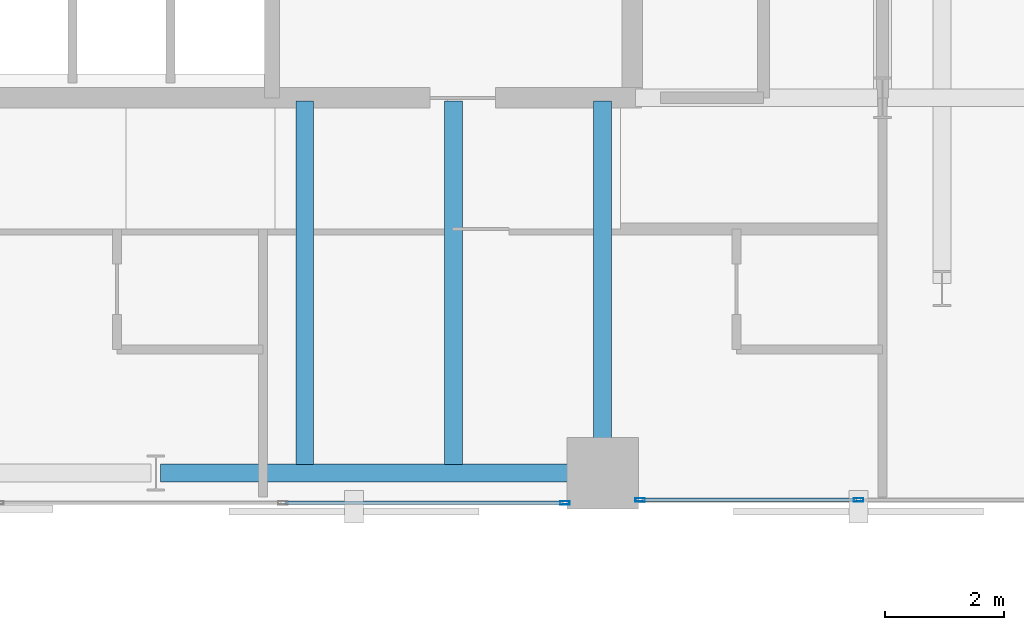
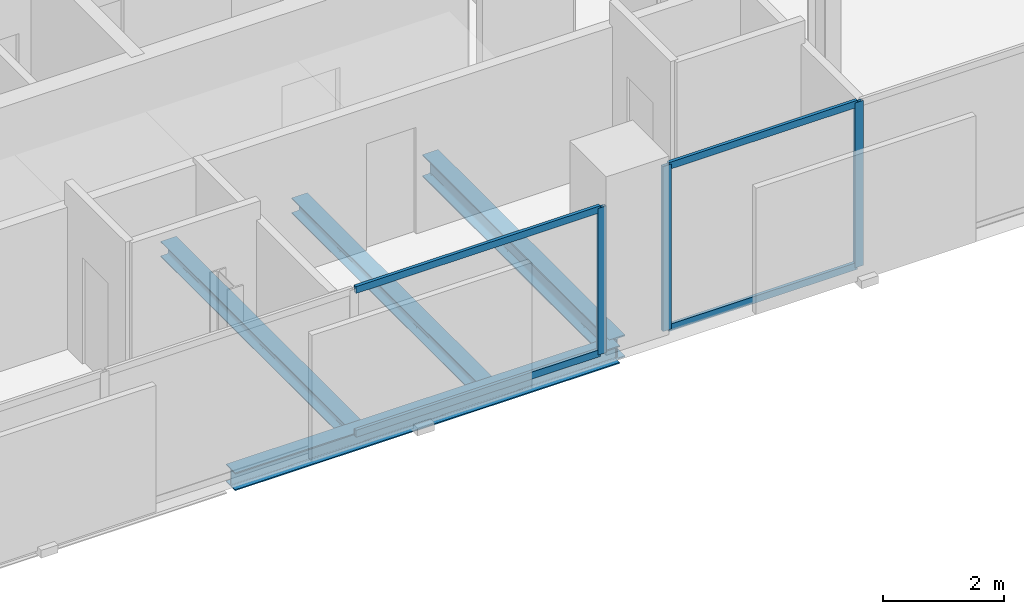
# One storey, part 14 of 32: 7 members, 4 beams, 2 elements without a shape of their own.
"""IFC4 building model written with IfcOpenShell, lengths in metres."""

from ifc_helpers import new_model, si_unit, direction, frame, origin, origin_2d, place, context, subcontext, project, spatial, hollow_rectangle, i_section, extrude, material, layer, layer_set, material_profile, profile_set, type_object, element, aggregate, save


model = new_model("IFC4")

# Units and contexts
model_context = context("Model", 3, precision=1e-05, world=origin(), true_north=direction((0.0, 1.0)))
body_context = subcontext(model_context, "Body", "Model", "MODEL_VIEW")
ifc_project = project(units=[si_unit("LENGTHUNIT", "METRE"), si_unit("AREAUNIT", "SQUARE_METRE"), si_unit("VOLUMEUNIT", "CUBIC_METRE"), si_unit("PLANEANGLEUNIT", "RADIAN"), si_unit("MASSUNIT", "GRAM", prefix="KILO")], contexts=[model_context])

# Site, building, storey
site_placement = place(None, origin())
site = spatial("IfcSite", under=ifc_project, at=site_placement, CompositionType="ELEMENT")
building_placement = place(site_placement, origin())
building = spatial("IfcBuilding", under=site, at=building_placement, Name="Catumbela Crestline Tower", CompositionType="ELEMENT")
storey_placement = place(building_placement, frame((0.0, 0.0, 126.0)))
storey = spatial("IfcBuildingStorey", under=building, at=storey_placement, Name="L32", CompositionType="ELEMENT", Elevation=126.0)

# Beams
ifc_material_1 = material(Name="Structural steel S355J2", Category="steel")
ifc_material_profile_1 = material_profile(ifc_material_1, i_section(OverallWidth=0.3, OverallDepth=0.45, WebThickness=0.014, FlangeThickness=0.026, FilletRadius=0.027, at=origin_2d()), Name="HEB 450")
ifc_profile_set_1 = profile_set([ifc_material_profile_1], Name="Structural steel S355J2")
beam_type_1 = type_object("IfcBeamType", Name="BG-HEB450", PredefinedType="BEAM", material=ifc_profile_set_1)
beam_1_placement = place(storey_placement, frame((39.5, 24.58, -0.485), z_axis=(0.0, 1.0, 0.0), x_axis=(-1.0, 0.0, 0.0)))
element("IfcBeam", 1, at=beam_1_placement, inside=storey, type_object=beam_type_1, Name="L32 Beam BM-L32-SNS31", PredefinedType="BEAM", context=body_context, shape_type="SweptSolid", body=[
    extrude(i_section(OverallWidth=0.3, OverallDepth=0.45, WebThickness=0.014, FlangeThickness=0.026, FilletRadius=0.027, at=origin_2d()), origin(), (0.0, 0.0, 1.0), 6.17),
])
ifc_material_profile_2 = material_profile(ifc_material_1, i_section(OverallWidth=0.3, OverallDepth=0.31, WebThickness=0.009, FlangeThickness=0.0155, FilletRadius=0.027, at=origin_2d()), Name="HEA 320")
ifc_profile_set_2 = profile_set([ifc_material_profile_2], Name="Structural steel S355J2")
beam_type_2 = type_object("IfcBeamType", Name="BJ-HEA320", PredefinedType="JOIST", material=ifc_profile_set_2)
for number, where, z_axis, x_axis, name in (
    (2, (34.5, 24.647, -0.415), (0.0, 1.0, 0.0), (-1.0, 0.0, 0.0), "L32 Joist JS-L32-SP41"),
    (3, (37.0, 24.647, -0.415), (0.0, 1.0, 0.0), (-1.0, 0.0, 0.0), "L32 Joist JS-L32-SP42"),
):
    element("IfcBeam", number, at=place(storey_placement, frame(where, z_axis=z_axis, x_axis=x_axis)), inside=storey, type_object=beam_type_2, Name=name, PredefinedType="JOIST", context=body_context, shape_type="SweptSolid", body=[
        extrude(i_section(OverallWidth=0.3, OverallDepth=0.31, WebThickness=0.009, FlangeThickness=0.0155, FilletRadius=0.027, at=origin_2d()), origin(), (0.0, 0.0, 1.0), 6.103),
    ])

# Curtain wall, member
ifc_material_2 = material(Name="Aluminium alloy AW-6060-T66", Category="aluminium")
ifc_layer = layer(ifc_material_2, 0.18, Name="Aluminium alloy AW-6060-T66")
ifc_layer_set = layer_set([ifc_layer], Name="Aluminium alloy AW-6060-T66")
curtain_wall_type = type_object("IfcCurtainWallType", Name="CWU-Z2", PredefinedType="USERDEFINED", material=ifc_layer_set)
curtain_wall_1_placement = place(storey_placement, origin())
curtain_wall_1 = element("IfcCurtainWall", 4, at=curtain_wall_1_placement, inside=storey, type_object=curtain_wall_type, Name="L32 Unitised Curtain Wall CW-L32-E3S1", ObjectType="UNITISED", PredefinedType="USERDEFINED")
ifc_material_profile_3 = material_profile(ifc_material_2, hollow_rectangle(XDim=0.06, YDim=0.16, WallThickness=0.004, at=origin_2d()), Name="ALU 160x60x4")
ifc_profile_set_3 = profile_set([ifc_material_profile_3], Name="Aluminium alloy AW-6060-T66")
member_type_1 = type_object("IfcMemberType", Name="MUL-160X60", PredefinedType="MULLION", material=ifc_profile_set_3)
member_1_placement = place(storey_placement, frame((38.8675, 24.0, 0.0), z_axis=(0.0, 0.0, 1.0), x_axis=(0.0, 1.0, 0.0)))
member_1 = element("IfcMember", 5, at=member_1_placement, type_object=member_type_1, Name="CWU-Z2 mullion 4", PredefinedType="MULLION", context=body_context, shape_type="SweptSolid", body=[
    extrude(hollow_rectangle(XDim=0.06, YDim=0.16, WallThickness=0.004, at=origin_2d()), origin(), (0.0, 0.0, 1.0), 2.96),
])

# Curtain wall, members
curtain_wall_2_placement = place(storey_placement, origin())
curtain_wall_2 = element("IfcCurtainWall", 6, at=curtain_wall_2_placement, inside=storey, type_object=curtain_wall_type, Name="L32 Unitised Curtain Wall CW-L32-E3S2", ObjectType="UNITISED", PredefinedType="USERDEFINED")
member_2_placement = place(storey_placement, frame((40.1325, 24.05, 0.0), z_axis=(0.0, 0.0, 1.0), x_axis=(0.0, 1.0, 0.0)))
member_2 = element("IfcMember", 7, at=member_2_placement, type_object=member_type_1, Name="CWU-Z2 mullion 1", PredefinedType="MULLION", context=body_context, shape_type="SweptSolid", body=[
    extrude(hollow_rectangle(XDim=0.06, YDim=0.16, WallThickness=0.004, at=origin_2d()), origin(), (0.0, 0.0, 1.0), 3.33),
])
member_3_placement = place(storey_placement, frame((43.8, 24.05, 0.0), z_axis=(0.0, 0.0, 1.0), x_axis=(0.0, 1.0, 0.0)))
member_3 = element("IfcMember", 8, at=member_3_placement, type_object=member_type_1, Name="CWU-Z2 mullion 2", PredefinedType="MULLION", context=body_context, shape_type="SweptSolid", body=[
    extrude(hollow_rectangle(XDim=0.06, YDim=0.16, WallThickness=0.004, at=origin_2d()), origin(), (0.0, 0.0, 1.0), 3.33),
])

# Beam
ifc_material_profile_4 = material_profile(ifc_material_1, i_section(OverallWidth=0.3, OverallDepth=0.36, WebThickness=0.0125, FlangeThickness=0.0225, FilletRadius=0.027, at=origin_2d()), Name="HEB 360")
ifc_profile_set_4 = profile_set([ifc_material_profile_4], Name="Structural steel S355J2")
beam_type_3 = type_object("IfcBeamType", Name="BS-HEB360", PredefinedType="SPANDREL", material=ifc_profile_set_4)
beam_2_placement = place(storey_placement, frame((32.08, 24.5, -0.44), z_axis=(1.0, 0.0, 0.0), x_axis=(0.0, 1.0, 0.0)))
element("IfcBeam", 9, at=beam_2_placement, inside=storey, type_object=beam_type_3, Name="L32 Spandrel SP-L32-S06", PredefinedType="SPANDREL", context=body_context, shape_type="SweptSolid", body=[
    extrude(i_section(OverallWidth=0.3, OverallDepth=0.36, WebThickness=0.0125, FlangeThickness=0.0225, FilletRadius=0.027, at=origin_2d()), origin(), (0.0, 0.0, 1.0), 7.34),
])

# Member
ifc_material_profile_5 = material_profile(ifc_material_2, hollow_rectangle(XDim=0.06, YDim=0.14, WallThickness=0.004, at=origin_2d()), Name="ALU 140x60x4")
ifc_profile_set_5 = profile_set([ifc_material_profile_5], Name="Aluminium alloy AW-6060-T66")
member_type_2 = type_object("IfcMemberType", Name="TRN-140X60", PredefinedType="USERDEFINED", material=ifc_profile_set_5)
member_4_placement = place(storey_placement, frame((34.1658, 24.0, 0.03), z_axis=(1.0, 0.0, 0.0), x_axis=(0.0, 1.0, 0.0)))
member_4 = element("IfcMember", 10, at=member_4_placement, type_object=member_type_2, Name="CWU-Z2 transom 3.1", ObjectType="TRANSOM", PredefinedType="USERDEFINED", context=body_context, shape_type="SweptSolid", body=[
    extrude(hollow_rectangle(XDim=0.06, YDim=0.14, WallThickness=0.004, at=origin_2d()), origin(), (0.0, 0.0, 1.0), 4.6692),
])

member_5_placement = place(storey_placement, frame((34.1658, 24.0, 2.93), z_axis=(1.0, 0.0, 0.0), x_axis=(0.0, 1.0, 0.0)))
member_5 = element("IfcMember", 11, at=member_5_placement, type_object=member_type_2, Name="CWU-Z2 transom 3.2", ObjectType="TRANSOM", PredefinedType="USERDEFINED", context=body_context, shape_type="SweptSolid", body=[
    extrude(hollow_rectangle(XDim=0.06, YDim=0.14, WallThickness=0.004, at=origin_2d()), origin(), (0.0, 0.0, 1.0), 4.6692),
])

aggregate(curtain_wall_1, [member_1, member_4, member_5])

member_6_placement = place(storey_placement, frame((40.165, 24.05, 0.03), z_axis=(1.0, 0.0, 0.0), x_axis=(0.0, 1.0, 0.0)))
member_6 = element("IfcMember", 12, at=member_6_placement, type_object=member_type_2, Name="CWU-Z2 transom 1.1", ObjectType="TRANSOM", PredefinedType="USERDEFINED", context=body_context, shape_type="SweptSolid", body=[
    extrude(hollow_rectangle(XDim=0.06, YDim=0.14, WallThickness=0.004, at=origin_2d()), origin(), (0.0, 0.0, 1.0), 3.6025),
])

member_7_placement = place(storey_placement, frame((40.165, 24.05, 3.3), z_axis=(1.0, 0.0, 0.0), x_axis=(0.0, 1.0, 0.0)))
member_7 = element("IfcMember", 13, at=member_7_placement, type_object=member_type_2, Name="CWU-Z2 transom 1.2", ObjectType="TRANSOM", PredefinedType="USERDEFINED", context=body_context, shape_type="SweptSolid", body=[
    extrude(hollow_rectangle(XDim=0.06, YDim=0.14, WallThickness=0.004, at=origin_2d()), origin(), (0.0, 0.0, 1.0), 3.6025),
])

aggregate(curtain_wall_2, [member_2, member_3, member_6, member_7])

save(model, "model.ifc")
